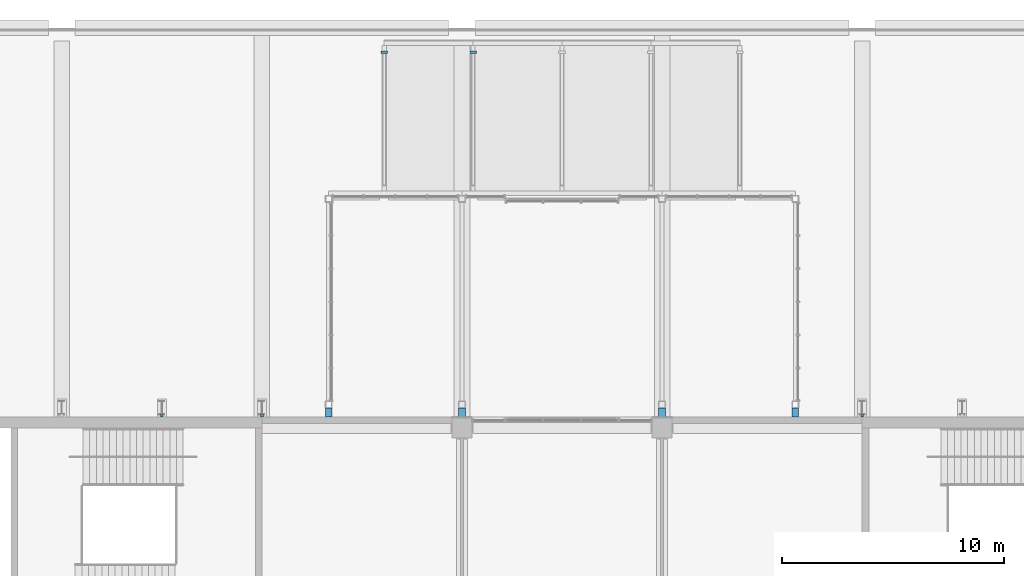
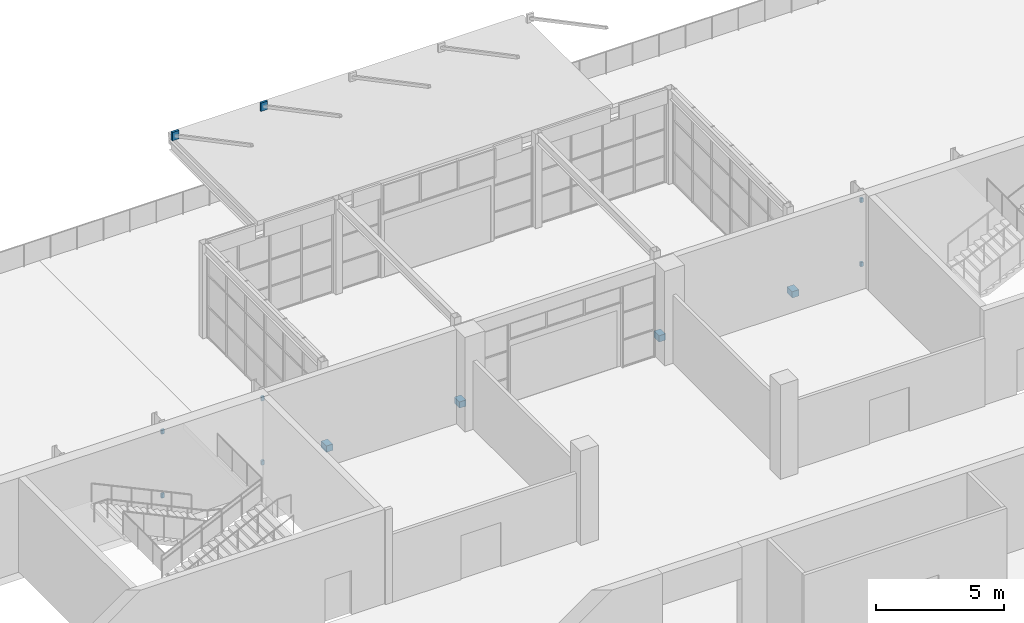
# One storey, part 133 of 168: 12 discrete accessories.
"""IFC4 building model written with IfcOpenShell, lengths in metres."""

from ifc_helpers import new_model, si_unit, direction, frame, origin, origin_2d, place, context, subcontext, project, spatial, rectangle, extrude, material, type_object, element, save


model = new_model("IFC4")

# Units and contexts
model_context = context("Model", 3, precision=1e-05, world=origin(), true_north=direction((0.0, 1.0)))
body_context = subcontext(model_context, "Body", "Model", "MODEL_VIEW")
ifc_project = project(units=[si_unit("LENGTHUNIT", "METRE"), si_unit("AREAUNIT", "SQUARE_METRE"), si_unit("VOLUMEUNIT", "CUBIC_METRE"), si_unit("PLANEANGLEUNIT", "RADIAN"), si_unit("MASSUNIT", "GRAM", prefix="KILO")], contexts=[model_context])

# Site, building, storey
site_placement = place(None, origin())
site = spatial("IfcSite", under=ifc_project, at=site_placement, CompositionType="ELEMENT")
building_placement = place(site_placement, origin())
building = spatial("IfcBuilding", under=site, at=building_placement, Name="Silverbay Arena", CompositionType="ELEMENT")
storey_placement = place(building_placement, frame((0.0, 0.0, 7.0)))
storey = spatial("IfcBuildingStorey", under=building, at=storey_placement, Name="L01", CompositionType="ELEMENT", Elevation=7.0)

# Discrete accessories
ifc_material = material(Name="Steel S355", Category="steel")
discrete_accessory_type = type_object("IfcDiscreteAccessoryType", Name="Steel bracket plate", PredefinedType="BRACKET", material=ifc_material)
for number, where, z_axis, x_axis, name in (
    (1, (112.5, 144.550048828125, 0.85009765625), (0.0, 0.0, 1.0), (1.0, 0.0, 0.0), "Fin bracket"),
    (2, (112.5, 144.550048828125, 3.89990234375), (0.0, 0.0, 1.0), (1.0, 0.0, 0.0), "Fin bracket"),
    (3, (117.0, 144.550048828125, 0.85009765625), (0.0, 0.0, 1.0), (1.0, 0.0, 0.0), "Fin bracket"),
    (4, (117.0, 144.550048828125, 3.89990234375), (0.0, 0.0, 1.0), (1.0, 0.0, 0.0), "Fin bracket"),
    (5, (144.0, 144.550048828125, 0.85009765625), (0.0, 0.0, 1.0), (1.0, 0.0, 0.0), "Fin bracket"),
    (6, (144.0, 144.550048828125, 3.89990234375), (0.0, 0.0, 1.0), (1.0, 0.0, 0.0), "Fin bracket"),
):
    element("IfcDiscreteAccessory", number, at=place(storey_placement, frame(where, z_axis=z_axis, x_axis=x_axis)), inside=storey, type_object=discrete_accessory_type, Name=name, PredefinedType="BRACKET", context=body_context, shape_type="SweptSolid", body=[
        extrude(rectangle(XDim=0.1201171875, YDim=0.10009765625, at=origin_2d()), origin(), (0.0, 0.0, 1.0), 0.199951171875),
    ])
for number, where, z_axis, x_axis, name in (
    (7, (120.0, 144.699951171875, 0.4501953125), (0.0, 0.0, 1.0), (1.0, 0.0, 0.0), "Hall column bracket plate"),
    (8, (126.0, 144.699951171875, 0.4501953125), (0.0, 0.0, 1.0), (1.0, 0.0, 0.0), "Hall column bracket plate"),
    (9, (135.0, 144.699951171875, 0.4501953125), (0.0, 0.0, 1.0), (1.0, 0.0, 0.0), "Hall column bracket plate"),
    (10, (141.0, 144.699951171875, 0.4501953125), (0.0, 0.0, 1.0), (1.0, 0.0, 0.0), "Hall column bracket plate"),
):
    element("IfcDiscreteAccessory", number, at=place(storey_placement, frame(where, z_axis=z_axis, x_axis=x_axis)), inside=storey, type_object=discrete_accessory_type, Name=name, PredefinedType="BRACKET", context=body_context, shape_type="SweptSolid", body=[
        extrude(rectangle(XDim=0.300048828125, YDim=0.39990234375, at=origin_2d()), origin(), (0.0, 0.0, 1.0), 0.300048828125),
    ])
for number, where, z_axis, x_axis, name in (
    (11, (122.5, 160.89990234375, 4.5), (0.0, 0.0, 1.0), (1.0, 0.0, 0.0), "Canopy tie edge lug plate"),
    (12, (126.5, 160.89990234375, 4.5), (0.0, 0.0, 1.0), (1.0, 0.0, 0.0), "Canopy tie edge lug plate"),
):
    element("IfcDiscreteAccessory", number, at=place(storey_placement, frame(where, z_axis=z_axis, x_axis=x_axis)), inside=storey, type_object=discrete_accessory_type, Name=name, PredefinedType="BRACKET", context=body_context, shape_type="SweptSolid", body=[
        extrude(rectangle(XDim=0.300048828125, YDim=0.10009765625, at=origin_2d()), origin(), (0.0, 0.0, 1.0), 0.39990234375),
    ])

save(model, "model.ifc")
